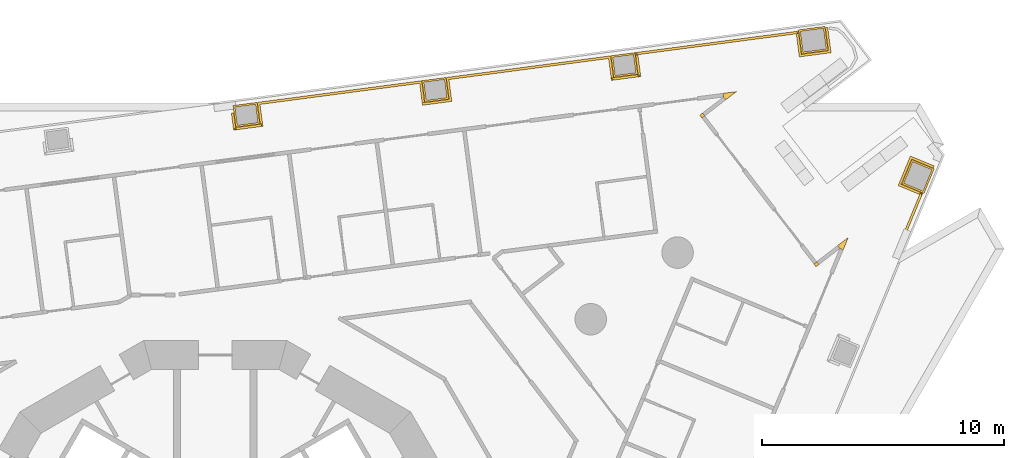
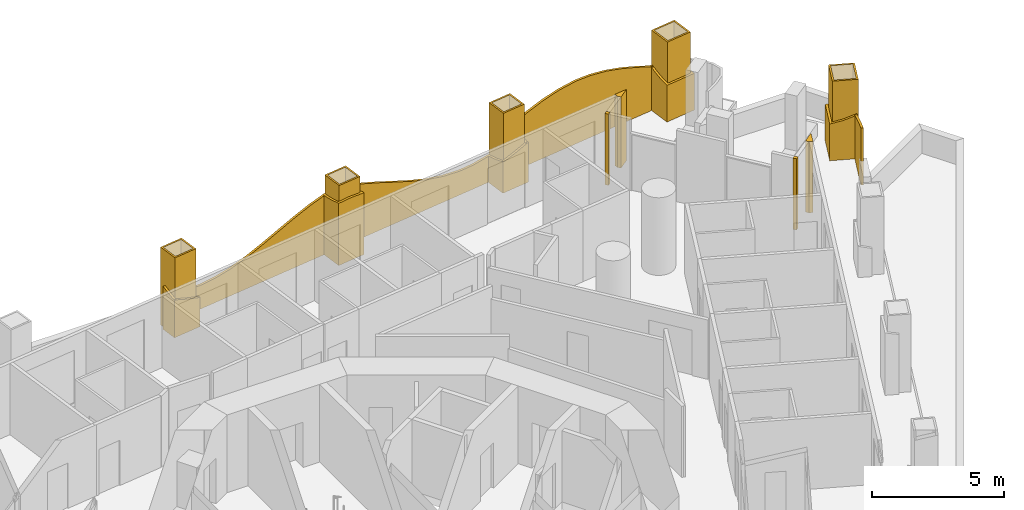
# One storey, part 19 of 20: 9 coverings, 2 railings.
"""IFC4 building model written with IfcOpenShell, lengths in metres."""

from ifc_helpers import new_model, si_unit, direction, frame, origin, place, context, subcontext, project, spatial, polyline, outline, extrude, material, layer, layer_set, type_object, element, save


model = new_model("IFC4")

# Units and contexts
model_context = context("Model", 3, precision=1e-05, world=origin(), true_north=direction((0.0, 1.0)))
body_context = subcontext(model_context, "Body", "Model", "MODEL_VIEW")
ifc_project = project(units=[si_unit("LENGTHUNIT", "METRE"), si_unit("AREAUNIT", "SQUARE_METRE"), si_unit("VOLUMEUNIT", "CUBIC_METRE"), si_unit("PLANEANGLEUNIT", "RADIAN"), si_unit("MASSUNIT", "GRAM", prefix="KILO")], contexts=[model_context])

# Site, building, storey
site_placement = place(None, origin())
site = spatial("IfcSite", under=ifc_project, at=site_placement, CompositionType="ELEMENT")
building_placement = place(site_placement, origin())
building = spatial("IfcBuilding", under=site, at=building_placement, Name="Trine Commons Tower", CompositionType="ELEMENT")
storey_placement = place(building_placement, frame((0.0, 0.0, 50.39990234375)))
storey = spatial("IfcBuildingStorey", under=building, at=storey_placement, Name="L11", CompositionType="ELEMENT", Elevation=50.39990234375)

# Coverings
ifc_material_1 = material(Name="Aluminium-framed insulated wall panel", Category="aluminium")
ifc_layer_1 = layer(ifc_material_1, 0.14990234375)
ifc_layer_set_1 = layer_set([ifc_layer_1], Name="Aluminium-framed insulated wall panel")
covering_type_1 = type_object("IfcCoveringType", Name="Glazing corner post, aluminium", PredefinedType="CLADDING", material=ifc_layer_set_1)
covering_1_placement = place(storey_placement, origin())
element("IfcCovering", 1, at=covering_1_placement, inside=storey, type_object=covering_type_1, Name="Glazing corner post 2-05", PredefinedType="CLADDING", context=body_context, shape_type="SweptSolid", body=[
    extrude(outline(polyline([(101.056396484375, 83.434326171875), (101.50048828125, 83.775146484375), (100.945556640625, 83.7021484375), (100.965087890625, 83.553466796875), (101.056396484375, 83.434326171875)])), origin(), (0.0, 0.0, 1.0), 3.300048828125),
])
covering_2_placement = place(storey_placement, origin())
element("IfcCovering", 2, at=covering_2_placement, inside=storey, type_object=covering_type_1, Name="Glazing corner post 2-06", PredefinedType="CLADDING", context=body_context, shape_type="SweptSolid", body=[
    extrude(outline(polyline([(100.076171875, 82.68212890625), (100.195068359375, 82.7734375), (100.103759765625, 82.892333984375), (99.98486328125, 82.801025390625), (100.076171875, 82.68212890625)])), origin(), (0.0, 0.0, 1.0), 3.300048828125),
])
covering_3_placement = place(storey_placement, origin())
element("IfcCovering", 3, at=covering_3_placement, inside=storey, type_object=covering_type_1, Name="Glazing corner post 2-07", PredefinedType="CLADDING", context=body_context, shape_type="SweptSolid", body=[
    extrude(outline(polyline([(104.6904296875, 76.66845703125), (104.78173828125, 76.549560546875), (104.90087890625, 76.640869140625), (104.8095703125, 76.759765625), (104.6904296875, 76.66845703125)])), origin(), (0.0, 0.0, 1.0), 3.300048828125),
])
covering_4_placement = place(storey_placement, origin())
element("IfcCovering", 4, at=covering_4_placement, inside=storey, type_object=covering_type_1, Name="Glazing corner post 2-08", PredefinedType="CLADDING", context=body_context, shape_type="SweptSolid", body=[
    extrude(outline(polyline([(105.90087890625, 77.244384765625), (106.114990234375, 77.761474609375), (105.6708984375, 77.4208984375), (105.76220703125, 77.3017578125), (105.90087890625, 77.244384765625)])), origin(), (0.0, 0.0, 1.0), 3.300048828125),
])
ifc_material_2 = material(Name="Limestone, honed", Category="masonry")
ifc_layer_2 = layer(ifc_material_2, 0.074951171875)
ifc_layer_set_2 = layer_set([ifc_layer_2], Name="Limestone, honed")
covering_type_2 = type_object("IfcCoveringType", Name="Limestone column cladding 75", PredefinedType="CLADDING", material=ifc_layer_set_2)
covering_5_placement = place(storey_placement, origin())
element("IfcCovering", 5, at=covering_5_placement, inside=storey, type_object=covering_type_2, Name="Limestone pier cladding 2-13", PredefinedType="CLADDING", context=body_context, shape_type="SweptSolid", body=[
    extrude(outline(polyline([(81.843505859375, 82.43798828125), (81.72607421875, 83.330322265625), (80.734619140625, 83.19970703125), (80.85205078125, 82.3076171875), (81.843505859375, 82.43798828125)]), holes=[polyline([(81.759521484375, 82.502685546875), (81.66162109375, 83.24609375), (80.81884765625, 83.13525390625), (80.916748046875, 82.3916015625), (81.759521484375, 82.502685546875)])]), origin(), (0.0, 0.0, 1.0), 3.60009765625),
])
covering_6_placement = place(storey_placement, origin())
element("IfcCovering", 6, at=covering_6_placement, inside=storey, type_object=covering_type_2, Name="Limestone pier cladding 2-14", PredefinedType="CLADDING", context=body_context, shape_type="SweptSolid", body=[
    extrude(outline(polyline([(89.636962890625, 83.464111328125), (89.519287109375, 84.356201171875), (88.52783203125, 84.225830078125), (88.6455078125, 83.33349609375), (89.636962890625, 83.464111328125)]), holes=[polyline([(89.552734375, 83.528564453125), (89.454833984375, 84.272216796875), (88.612060546875, 84.1611328125), (88.7099609375, 83.41748046875), (89.552734375, 83.528564453125)])]), origin(), (0.0, 0.0, 1.0), 3.60009765625),
])
covering_7_placement = place(storey_placement, origin())
element("IfcCovering", 7, at=covering_7_placement, inside=storey, type_object=covering_type_2, Name="Limestone pier cladding 2-15", PredefinedType="CLADDING", context=body_context, shape_type="SweptSolid", body=[
    extrude(outline(polyline([(97.43017578125, 84.489990234375), (97.312744140625, 85.38232421875), (96.3212890625, 85.251708984375), (96.438720703125, 84.359619140625), (97.43017578125, 84.489990234375)]), holes=[polyline([(97.345947265625, 84.5546875), (97.248046875, 85.298095703125), (96.405517578125, 85.187255859375), (96.50341796875, 84.443603515625), (97.345947265625, 84.5546875)])]), origin(), (0.0, 0.0, 1.0), 3.60009765625),
])
covering_8_placement = place(storey_placement, origin())
element("IfcCovering", 8, at=covering_8_placement, inside=storey, type_object=covering_type_2, Name="Limestone pier cladding 2-16", PredefinedType="CLADDING", context=body_context, shape_type="SweptSolid", body=[
    extrude(outline(polyline([(105.279541015625, 85.472900390625), (105.14892578125, 86.46435546875), (104.058349609375, 86.32080078125), (104.18896484375, 85.329345703125), (105.279541015625, 85.472900390625)]), holes=[polyline([(105.1953125, 85.53759765625), (105.08447265625, 86.38037109375), (104.142578125, 86.25634765625), (104.25341796875, 85.41357421875), (105.1953125, 85.53759765625)])]), origin(), (0.0, 0.0, 1.0), 3.60009765625),
])
covering_9_placement = place(storey_placement, origin())
element("IfcCovering", 9, at=covering_9_placement, inside=storey, type_object=covering_type_2, Name="Limestone pier cladding 2-17", PredefinedType="CLADDING", context=body_context, shape_type="SweptSolid", body=[
    extrude(outline(polyline([(109.65673828125, 80.589599609375), (108.73291015625, 80.972412109375), (108.31201171875, 79.9560546875), (109.23583984375, 79.5732421875), (109.65673828125, 80.589599609375)]), holes=[polyline([(109.558837890625, 80.549072265625), (108.7734375, 80.874267578125), (108.409912109375, 79.99658203125), (109.1953125, 79.67138671875), (109.558837890625, 80.549072265625)])]), origin(), (0.0, 0.0, 1.0), 3.60009765625),
])

# Railings
ifc_material_3 = material(Name="White powder-coated aluminium", Category="aluminium")
ifc_layer_3 = layer(ifc_material_3, 0.10009765625)
ifc_layer_set_3 = layer_set([ifc_layer_3], Name="White powder-coated aluminium")
railing_type = type_object("IfcRailingType", Name="White balustrade band 100", PredefinedType="GUARDRAIL", material=ifc_layer_set_3)
railing_1_placement = place(storey_placement, origin())
element("IfcRailing", 10, at=railing_1_placement, inside=storey, type_object=railing_type, Name="Guard band L11 10", PredefinedType="GUARDRAIL", context=body_context, shape_type="SweptSolid", body=[
    extrude(outline(polyline([(0.0, 0.0), (0.71435546875, 0.0), (0.71435546875, 1.718505859375), (0.208251953125, 1.91259765625), (0.0, 1.994384765625), (0.0, 0.0)])), frame((80.763671875, 82.904052734375, 0.0), z_axis=(-0.991485675559, -0.130215802271, 0.0), x_axis=(0.130215802271, -0.991485675559, 0.0)), (0.0, 0.0, 1.0), 0.10009765625),
    extrude(outline(polyline([(0.0, 0.0), (1.2216796875, 0.0), (1.221435546875, 1.350341796875), (0.610595703125, 1.537353515625), (0.0, 1.757080078125), (0.0, 0.0)])), frame((80.743408203125, 82.283203125, 0.0), z_axis=(0.130501039433, -0.991448172476, 0.0), x_axis=(0.991448172476, 0.130501039433, 0.0)), (0.0, 0.0, 1.0), 0.10009765625),
    extrude(outline(polyline([(0.0, 0.0), (1.011474609375, 0.0), (1.01171875, 1.159912109375), (0.505859375, 1.2509765625), (0.0, 1.378662109375), (0.0, 0.0)])), frame((81.867919921875, 82.329345703125, 0.0), z_axis=(0.991439502977, 0.130566886833, 0.0), x_axis=(-0.130566886833, 0.991439502977, 0.0)), (0.0, 0.0, 1.0), 0.10009765625),
    extrude(outline(polyline([(0.0, 0.0), (6.841796875, 0.0), (6.841796875, 2.75927734375), (6.081787109375, 2.560546875), (5.321533203125, 2.300537109375), (4.561279296875, 2.0078125), (3.801025390625, 1.71435546875), (3.040771484375, 1.451904296875), (2.280517578125, 1.249267578125), (1.5205078125, 1.128662109375), (0.942138671875, 1.10009765625), (0.76025390625, 1.102783203125), (0.0, 1.175048828125), (0.0, 0.0)])), frame((81.735595703125, 83.33154296875, 0.0), z_axis=(0.130532050164, -0.991444090143, 0.0), x_axis=(0.991444090143, 0.130532050164, 0.0)), (0.0, 0.0, 1.0), 0.10009765625),
    extrude(outline(polyline([(0.0, 0.0), (1.011474609375, 0.0), (1.011474609375, 2.88720703125), (0.505859375, 2.780029296875), (0.0, 2.7373046875), (0.0, 0.0)])), frame((88.51806640625, 84.22509765625, 0.0), z_axis=(-0.991439502977, -0.130566886833, 0.0), x_axis=(0.130566886833, -0.991439502977, 0.0)), (0.0, 0.0, 1.0), 0.10009765625),
    extrude(outline(polyline([(0.0, 0.0), (1.2216796875, 0.0), (1.2216796875, 2.8544921875), (0.61083984375, 2.89892578125), (0.490234375, 2.900146484375), (0.0, 2.879638671875), (0.0, 0.0)])), frame((88.537109375, 83.30908203125, 0.0), z_axis=(0.130697476673, -0.991422296295, 0.0), x_axis=(0.991422296295, 0.130697476673, 0.0)), (0.0, 0.0, 1.0), 0.10009765625),
    extrude(outline(polyline([(0.0, 0.0), (1.01171875, 0.0), (1.011962890625, 2.6787109375), (0.506103515625, 2.780029296875), (0.0, 2.8662109375), (0.0, 0.0)])), frame((89.6611328125, 83.35546875, 0.0), z_axis=(0.991443615857, 0.130535652514, 0.0), x_axis=(-0.130535652514, 0.991443615857, 0.0)), (0.0, 0.0, 1.0), 0.10009765625),
    extrude(outline(polyline([(0.0, 0.0), (6.8427734375, 0.0), (6.843017578125, 1.217529296875), (6.08251953125, 1.115478515625), (5.658935546875, 1.10009765625), (5.322265625, 1.10986328125), (4.56201171875, 1.201416015625), (3.801513671875, 1.3798828125), (3.041259765625, 1.626220703125), (2.281005859375, 1.913330078125), (1.5205078125, 2.2099609375), (0.76025390625, 2.483642578125), (0.0, 2.70458984375), (0.0, 0.0)])), frame((89.5283203125, 84.357421875, 0.0), z_axis=(0.130548651498, -0.991441904295, 0.0), x_axis=(0.991441904295, 0.130548651498, 0.0)), (0.0, 0.0, 1.0), 0.10009765625),
    extrude(outline(polyline([(0.0, 0.0), (1.010986328125, 0.0), (1.010986328125, 1.4501953125), (0.505615234375, 1.3076171875), (0.0, 1.198486328125), (0.0, 0.0)])), frame((96.311279296875, 85.2509765625, 0.0), z_axis=(-0.991431268354, -0.130629399946, 0.0), x_axis=(0.130629399946, -0.991431268354, 0.0)), (0.0, 0.0, 1.0), 0.10009765625),
    extrude(outline(polyline([(0.0, 0.0), (1.221435546875, 0.0), (1.22119140625, 1.849365234375), (0.610595703125, 1.620849609375), (0.0, 1.41943359375), (0.0, 0.0)])), frame((96.330322265625, 84.335205078125, 0.0), z_axis=(0.130526901908, -0.991444767941, 0.0), x_axis=(0.991444767941, 0.130526901908, 0.0)), (0.0, 0.0, 1.0), 0.10009765625),
    extrude(outline(polyline([(0.0, 0.0), (1.011474609375, 0.0), (1.01171875, 2.204345703125), (0.505859375, 2.00732421875), (0.0, 1.810302734375), (0.0, 0.0)])), frame((97.45458984375, 84.381591796875, 0.0), z_axis=(0.991439502977, 0.130566886833, 0.0), x_axis=(-0.130566886833, 0.991439502977, 0.0)), (0.0, 0.0, 1.0), 0.10009765625),
    extrude(outline(polyline([(0.0, 0.0), (6.792236328125, 0.0), (6.792236328125, 1.99365234375), (6.03759765625, 2.284912109375), (5.282958984375, 2.5458984375), (4.5283203125, 2.748046875), (3.7734375, 2.86962890625), (3.176513671875, 2.900146484375), (3.018798828125, 2.89794921875), (2.26416015625, 2.82958984375), (1.509521484375, 2.672119140625), (0.754638671875, 2.4423828125), (0.0, 2.165283203125), (0.0, 0.0)])), frame((97.32177734375, 85.383544921875, 0.0), z_axis=(0.130513089755, -0.991446586258, 0.0), x_axis=(0.991446586258, 0.130513089755, 0.0)), (0.0, 0.0, 1.0), 0.10009765625),
    extrude(outline(polyline([(0.0, 0.0), (1.06201171875, 0.0), (1.06201171875, 1.7001953125), (0.531005859375, 1.826171875), (0.0, 2.03369140625), (0.0, 0.0)])), frame((104.054931640625, 86.27099609375, 0.0), z_axis=(-0.991469155359, -0.130341528191, 0.0), x_axis=(0.130341528191, -0.991469155359, 0.0)), (0.0, 0.0, 1.0), 0.10009765625),
    extrude(outline(polyline([(0.0, 0.0), (1.32177734375, 0.0), (1.32177734375, 1.7001953125), (0.660888671875, 1.7001953125), (0.0, 1.7001953125), (0.0, 0.0)])), frame((104.08056640625, 85.30517578125, 0.0), z_axis=(0.130397179106, -0.991461837733, 0.0), x_axis=(0.991461837733, 0.130397179106, 0.0)), (0.0, 0.0, 1.0), 0.10009765625),
    extrude(outline(polyline([(0.0, 0.0), (1.06201171875, 0.0), (1.06201171875, 1.7001953125), (0.531005859375, 1.7001953125), (0.0, 1.7001953125), (0.0, 0.0)])), frame((105.303955078125, 85.364501953125, 0.0), z_axis=(0.991439423297, 0.130567491869, 0.0), x_axis=(-0.130567491869, 0.991439423297, 0.0)), (0.0, 0.0, 1.0), 0.10009765625),
])
railing_2_placement = place(storey_placement, origin())
element("IfcRailing", 11, at=railing_2_placement, inside=storey, type_object=railing_type, Name="Guard band L11 12", PredefinedType="GUARDRAIL", context=body_context, shape_type="SweptSolid", body=[
    extrude(outline(polyline([(0.0, 0.0), (1.0615234375, 0.0), (1.061767578125, 1.7001953125), (0.531005859375, 1.7001953125), (0.0, 1.7001953125), (0.0, 0.0)])), frame((109.614990234375, 80.617919921875, 0.0), z_axis=(0.382703871955, 0.923871065891, 0.0), x_axis=(-0.923871065891, 0.382703871955, 0.0)), (0.0, 0.0, 1.0), 0.10009765625),
    extrude(outline(polyline([(0.0, 0.0), (1.322021484375, 0.0), (1.322021484375, 1.7001953125), (0.660888671875, 1.7001953125), (0.0, 1.7001953125), (0.0, 0.0)])), frame((108.76611328125, 81.078369140625, 0.0), z_axis=(-0.923834508467, 0.382792111943, 0.0), x_axis=(-0.382792111943, -0.923834508467, 0.0)), (0.0, 0.0, 1.0), 0.10009765625),
    extrude(outline(polyline([(0.0, 0.0), (1.061279296875, 0.0), (1.061279296875, 2.03076171875), (0.53076171875, 1.823486328125), (0.0, 1.7001953125), (0.0, 0.0)])), frame((108.205810546875, 79.989013671875, 0.0), z_axis=(-0.382588846468, -0.923918705601, 0.0), x_axis=(0.923918705601, -0.382588846468, 0.0)), (0.0, 0.0, 1.0), 0.10009765625),
    extrude(outline(polyline([(0.0, 0.0), (1.842529296875, 0.0), (1.8427734375, 2.63330078125), (1.509521484375, 2.543701171875), (0.754638671875, 2.282470703125), (0.0, 1.990966796875), (0.0, 0.0)])), frame((109.18603515625, 79.584228515625, 0.0), z_axis=(-0.923894108428, 0.382648241093, 0.0), x_axis=(-0.382648241093, -0.923894108428, 0.0)), (0.0, 0.0, 1.0), 0.10009765625),
])

save(model, "model.ifc")
